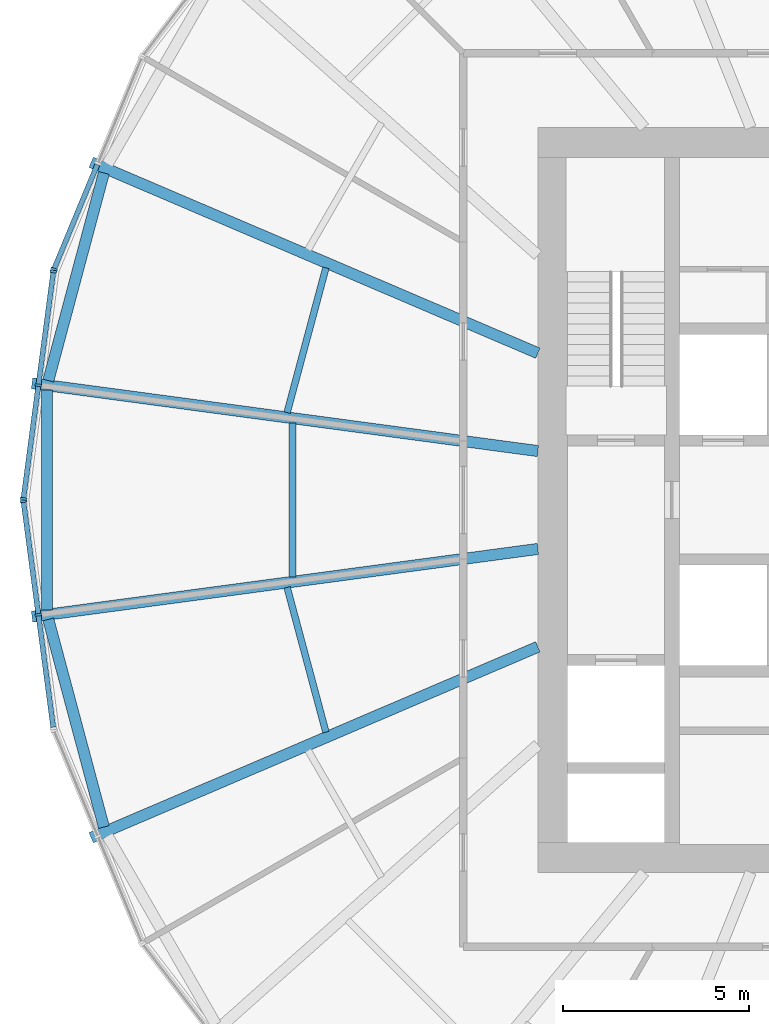
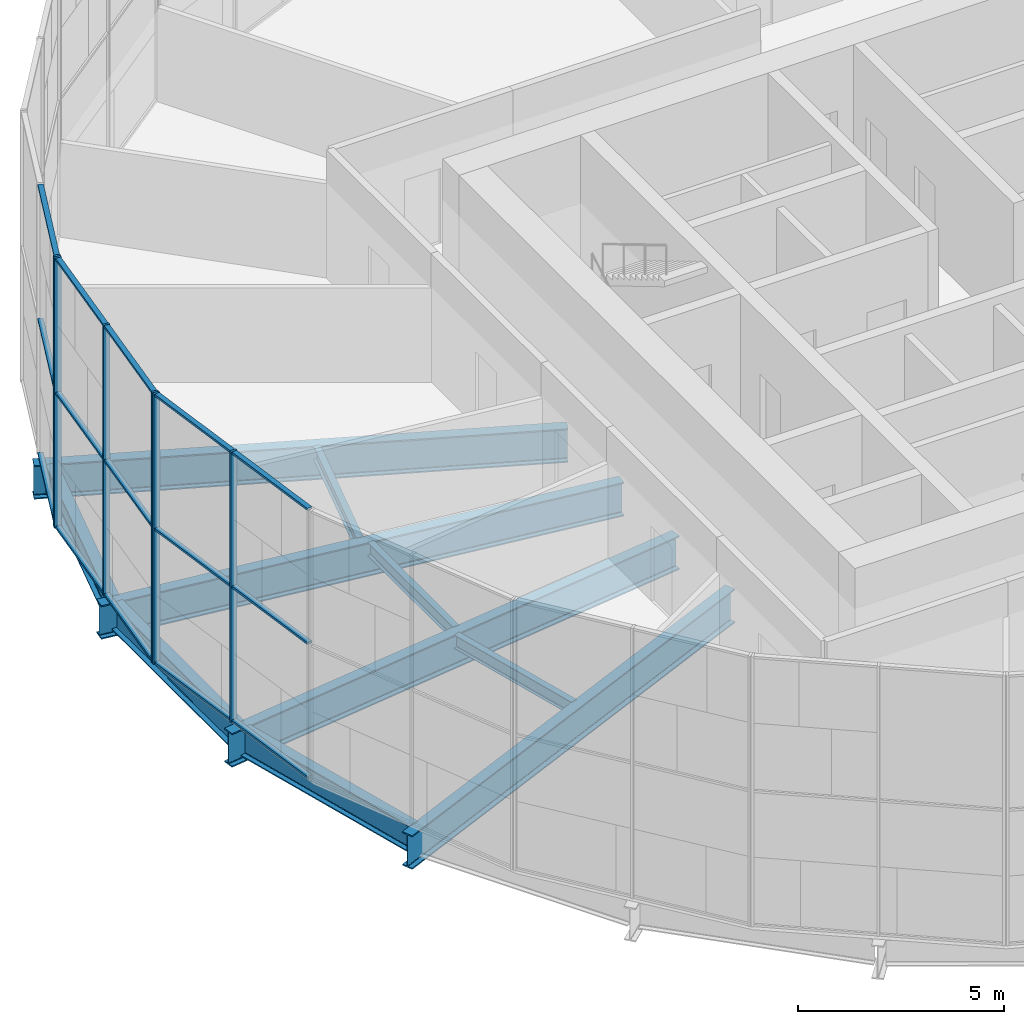
# One storey, part 3 of 18: 21 members, 10 beams, 3 elements without a shape of their own.
"""IFC4 building model written with IfcOpenShell, lengths in metres."""

from ifc_helpers import new_model, si_unit, direction, frame, origin, origin_2d, place, context, subcontext, project, spatial, rectangle, i_section, extrude, material, material_profile, profile_set, type_object, element, aggregate, save


model = new_model("IFC4")

# Units and contexts
model_context = context("Model", 3, precision=1e-05, world=origin(), true_north=direction((0.0, 1.0)))
body_context = subcontext(model_context, "Body", "Model", "MODEL_VIEW")
ifc_project = project(units=[si_unit("LENGTHUNIT", "METRE"), si_unit("AREAUNIT", "SQUARE_METRE"), si_unit("VOLUMEUNIT", "CUBIC_METRE"), si_unit("PLANEANGLEUNIT", "RADIAN"), si_unit("MASSUNIT", "GRAM", prefix="KILO")], contexts=[model_context])

# Site, building, storey
site_placement = place(None, origin())
site = spatial("IfcSite", under=ifc_project, at=site_placement, CompositionType="ELEMENT")
building_placement = place(site_placement, origin())
building = spatial("IfcBuilding", under=site, at=building_placement, Name="Golbaran Civic Tower", CompositionType="ELEMENT")
storey_placement = place(building_placement, frame((0.0, 0.0, 61.0)))
storey = spatial("IfcBuildingStorey", under=building, at=storey_placement, Name="L14", CompositionType="ELEMENT", Elevation=61.0)

# Beams
ifc_material_1 = material(Name="Steel S355", Category="steel")
ifc_material_profile_1 = material_profile(ifc_material_1, i_section(OverallWidth=0.300048828125, OverallDepth=0.800048828125, WebThickness=0.017578125, FlangeThickness=0.032958984375, FilletRadius=0.030029296875, at=origin_2d()), Name="HEB 800")
ifc_profile_set_1 = profile_set([ifc_material_profile_1], Name="Steel S355")
beam_type_1 = type_object("IfcBeamType", Name="EDGE BEAM HEB 800", PredefinedType="BEAM", material=ifc_profile_set_1)
beam_1_placement = place(storey_placement, frame((-21.653564453125, 8.781982421875, -0.60009765625), z_axis=(-0.258518279103, -0.966006366112, 0.0), x_axis=(0.966006366112, -0.258518279103, 0.0)))
element("IfcBeam", 1, at=beam_1_placement, inside=storey, type_object=beam_type_1, Name="Edge beam 157.57 L14", PredefinedType="BEAM", context=body_context, shape_type="SweptSolid", body=[
    extrude(i_section(OverallWidth=0.300048828125, OverallDepth=0.800048828125, WebThickness=0.017578125, FlangeThickness=0.032958984375, FilletRadius=0.030029296875, at=origin_2d()), origin(), (0.0, 0.0, 1.0), 5.771240234375),
])
beam_2_placement = place(storey_placement, frame((-23.179443359375, 2.94921875, -0.60009765625), z_axis=(0.0, -1.0, 0.0), x_axis=(1.0, 0.0, 0.0)))
element("IfcBeam", 2, at=beam_2_placement, inside=storey, type_object=beam_type_1, Name="Edge beam 172.43 L14", PredefinedType="BEAM", context=body_context, shape_type="SweptSolid", body=[
    extrude(i_section(OverallWidth=0.300048828125, OverallDepth=0.800048828125, WebThickness=0.017578125, FlangeThickness=0.032958984375, FilletRadius=0.030029296875, at=origin_2d()), origin(), (0.0, 0.0, 1.0), 5.8984375),
])
beam_3_placement = place(storey_placement, frame((-23.1455078125, -3.20703125, -0.60009765625), z_axis=(0.258518279103, -0.966006366112, 0.0), x_axis=(0.966006366112, 0.258518279103, 0.0)))
element("IfcBeam", 3, at=beam_3_placement, inside=storey, type_object=beam_type_1, Name="Edge beam 187.57 L14", PredefinedType="BEAM", context=body_context, shape_type="SweptSolid", body=[
    extrude(i_section(OverallWidth=0.300048828125, OverallDepth=0.800048828125, WebThickness=0.017578125, FlangeThickness=0.032958984375, FilletRadius=0.030029296875, at=origin_2d()), origin(), (0.0, 0.0, 1.0), 5.771240234375),
])
ifc_material_profile_2 = material_profile(ifc_material_1, i_section(OverallWidth=0.179931640625, OverallDepth=0.39990234375, WebThickness=0.008544921875, FlangeThickness=0.013427734375, FilletRadius=0.02099609375, at=origin_2d()), Name="IPE 400")
ifc_profile_set_2 = profile_set([ifc_material_profile_2], Name="Steel S355")
beam_type_2 = type_object("IfcBeamType", Name="FLOOR INFILL BEAM IPE 400", PredefinedType="BEAM", material=ifc_profile_set_2)
beam_4_placement = place(storey_placement, frame((-15.69140625, 6.23388671875, -0.39990234375), z_axis=(-0.258863474337, -0.965913920416, 0.0), x_axis=(0.965913920416, -0.258863474337, 0.0)))
element("IfcBeam", 4, at=beam_4_placement, inside=storey, type_object=beam_type_2, Name="Infill beam 165.00 L14", PredefinedType="BEAM", context=body_context, shape_type="SweptSolid", body=[
    extrude(i_section(OverallWidth=0.179931640625, OverallDepth=0.39990234375, WebThickness=0.008544921875, FlangeThickness=0.013427734375, FilletRadius=0.02099609375, at=origin_2d()), origin(), (0.0, 0.0, 1.0), 4.0234375),
])
beam_5_placement = place(storey_placement, frame((-16.58984375, 2.066162109375, -0.39990234375), z_axis=(0.0, -1.0, 0.0), x_axis=(1.0, 0.0, 0.0)))
element("IfcBeam", 5, at=beam_5_placement, inside=storey, type_object=beam_type_2, Name="Infill beam 180.00 L14", PredefinedType="BEAM", context=body_context, shape_type="SweptSolid", body=[
    extrude(i_section(OverallWidth=0.179931640625, OverallDepth=0.39990234375, WebThickness=0.008544921875, FlangeThickness=0.013427734375, FilletRadius=0.02099609375, at=origin_2d()), origin(), (0.0, 0.0, 1.0), 4.13232421875),
])
beam_6_placement = place(storey_placement, frame((-16.73291015625, -2.34765625, -0.39990234375), z_axis=(0.258863474337, -0.965913920416, 0.0), x_axis=(0.965913920416, 0.258863474337, 0.0)))
element("IfcBeam", 6, at=beam_6_placement, inside=storey, type_object=beam_type_2, Name="Infill beam 195.00 L14", PredefinedType="BEAM", context=body_context, shape_type="SweptSolid", body=[
    extrude(i_section(OverallWidth=0.179931640625, OverallDepth=0.39990234375, WebThickness=0.008544921875, FlangeThickness=0.013427734375, FilletRadius=0.02099609375, at=origin_2d()), origin(), (0.0, 0.0, 1.0), 4.0234375),
])

# Curtain wall, member
ifc_material_2 = material(Name="Aluminium and glass", Category="aluminium")
curtain_wall_type = type_object("IfcCurtainWallType", Name="INNER SKIN CURTAIN WALL", PredefinedType="NOTDEFINED", material=ifc_material_2)
curtain_wall_1_placement = place(storey_placement, origin())
curtain_wall_1 = element("IfcCurtainWall", 7, at=curtain_wall_1_placement, inside=storey, type_object=curtain_wall_type, Name="Inner skin L14 facet 11 CW1", ObjectType="INNER SKIN", PredefinedType="USERDEFINED")
ifc_material_3 = material(Name="Aluminium", Category="aluminium")
ifc_material_profile_3 = material_profile(ifc_material_3, rectangle(XDim=0.179931640625, YDim=0.06494140625, at=origin_2d()), Name="INNER SKIN CURTAIN WALL MULLION")
ifc_profile_set_3 = profile_set([ifc_material_profile_3], Name="Aluminium")
member_type_1 = type_object("IfcMemberType", Name="INNER SKIN CURTAIN WALL MULLION", PredefinedType="MULLION", material=ifc_profile_set_3)
member_1_placement = place(storey_placement, frame((-22.992919921875, 6.1943359375, 0.0), z_axis=(0.0, 0.0, 1.0), x_axis=(0.923879532505, -0.382683432381, 0.0)))
member_1 = element("IfcMember", 8, at=member_1_placement, type_object=member_type_1, Name="CW1 mullion 3", PredefinedType="MULLION", context=body_context, shape_type="SweptSolid", body=[
    extrude(rectangle(XDim=0.179931640625, YDim=0.06494140625, at=origin_2d()), origin(), (0.0, 0.0, 1.0), 8.0),
])

# Curtain wall, members
curtain_wall_2_placement = place(storey_placement, origin())
curtain_wall_2 = element("IfcCurtainWall", 9, at=curtain_wall_2_placement, inside=storey, type_object=curtain_wall_type, Name="Inner skin L14 facet 12 CW1", ObjectType="INNER SKIN", PredefinedType="USERDEFINED")
member_2_placement = place(storey_placement, frame((-23.009765625, 6.132080078125, 0.0), z_axis=(0.0, 0.0, 1.0), x_axis=(0.991444861378, -0.130526192185, 0.0)))
member_2 = element("IfcMember", 10, at=member_2_placement, type_object=member_type_1, Name="CW1 mullion 1", PredefinedType="MULLION", context=body_context, shape_type="SweptSolid", body=[
    extrude(rectangle(XDim=0.179931640625, YDim=0.06494140625, at=origin_2d()), origin(), (0.0, 0.0, 1.0), 8.0),
])
member_3_placement = place(storey_placement, frame((-23.4111328125, 3.08203125, 0.0), z_axis=(0.0, 0.0, 1.0), x_axis=(0.991444861378, -0.130526192185, 0.0)))
member_3 = element("IfcMember", 11, at=member_3_placement, type_object=member_type_1, Name="CW1 mullion 2", PredefinedType="MULLION", context=body_context, shape_type="SweptSolid", body=[
    extrude(rectangle(XDim=0.179931640625, YDim=0.06494140625, at=origin_2d()), origin(), (0.0, 0.0, 1.0), 8.0),
])
member_4_placement = place(storey_placement, frame((-23.812744140625, 0.0322265625, 0.0), z_axis=(0.0, 0.0, 1.0), x_axis=(0.991444861378, -0.130526192185, 0.0)))
member_4 = element("IfcMember", 12, at=member_4_placement, type_object=member_type_1, Name="CW1 mullion 3", PredefinedType="MULLION", context=body_context, shape_type="SweptSolid", body=[
    extrude(rectangle(XDim=0.179931640625, YDim=0.06494140625, at=origin_2d()), origin(), (0.0, 0.0, 1.0), 8.0),
])

curtain_wall_3_placement = place(storey_placement, origin())
curtain_wall_3 = element("IfcCurtainWall", 13, at=curtain_wall_3_placement, inside=storey, type_object=curtain_wall_type, Name="Inner skin L14 facet 13 CW1", ObjectType="INNER SKIN", PredefinedType="USERDEFINED")
member_5_placement = place(storey_placement, frame((-23.812744140625, -0.0322265625, 0.0), z_axis=(0.0, 0.0, 1.0), x_axis=(0.991444861378, 0.130526192185, 0.0)))
member_5 = element("IfcMember", 14, at=member_5_placement, type_object=member_type_1, Name="CW1 mullion 1", PredefinedType="MULLION", context=body_context, shape_type="SweptSolid", body=[
    extrude(rectangle(XDim=0.179931640625, YDim=0.06494140625, at=origin_2d()), origin(), (0.0, 0.0, 1.0), 8.0),
])
member_6_placement = place(storey_placement, frame((-23.4111328125, -3.08203125, 0.0), z_axis=(0.0, 0.0, 1.0), x_axis=(0.991444861378, 0.130526192185, 0.0)))
member_6 = element("IfcMember", 15, at=member_6_placement, type_object=member_type_1, Name="CW1 mullion 2", PredefinedType="MULLION", context=body_context, shape_type="SweptSolid", body=[
    extrude(rectangle(XDim=0.179931640625, YDim=0.06494140625, at=origin_2d()), origin(), (0.0, 0.0, 1.0), 8.0),
])

# Member
ifc_material_profile_4 = material_profile(ifc_material_3, rectangle(XDim=0.139892578125, YDim=0.06494140625, at=origin_2d()), Name="INNER SKIN CURTAIN WALL TRANSOM")
ifc_profile_set_4 = profile_set([ifc_material_profile_4], Name="Aluminium")
member_type_2 = type_object("IfcMemberType", Name="INNER SKIN CURTAIN WALL TRANSOM", PredefinedType="USERDEFINED", material=ifc_profile_set_4)
member_7_placement = place(storey_placement, frame((-21.828125, 9.00634765625, 0.032470703125), z_axis=(-0.382685955317, -0.923878487466, 0.0), x_axis=(0.923878487466, -0.382685955317, 0.0)))
member_7 = element("IfcMember", 16, at=member_7_placement, type_object=member_type_2, Name="CW1 transom 2.1", ObjectType="TRANSOM", PredefinedType="USERDEFINED", context=body_context, shape_type="SweptSolid", body=[
    extrude(rectangle(XDim=0.139892578125, YDim=0.06494140625, at=origin_2d()), origin(), (0.0, 0.0, 1.0), 3.01123046875),
])

member_8_placement = place(storey_placement, frame((-21.828125, 9.00634765625, 4.0), z_axis=(-0.382685955317, -0.923878487466, 0.0), x_axis=(0.923878487466, -0.382685955317, 0.0)))
member_8 = element("IfcMember", 17, at=member_8_placement, type_object=member_type_2, Name="CW1 transom 2.2", ObjectType="TRANSOM", PredefinedType="USERDEFINED", context=body_context, shape_type="SweptSolid", body=[
    extrude(rectangle(XDim=0.139892578125, YDim=0.06494140625, at=origin_2d()), origin(), (0.0, 0.0, 1.0), 3.01123046875),
])

member_9_placement = place(storey_placement, frame((-21.828125, 9.00634765625, 7.967529296875), z_axis=(-0.382685955317, -0.923878487466, 0.0), x_axis=(0.923878487466, -0.382685955317, 0.0)))
member_9 = element("IfcMember", 18, at=member_9_placement, type_object=member_type_2, Name="CW1 transom 2.3", ObjectType="TRANSOM", PredefinedType="USERDEFINED", context=body_context, shape_type="SweptSolid", body=[
    extrude(rectangle(XDim=0.139892578125, YDim=0.06494140625, at=origin_2d()), origin(), (0.0, 0.0, 1.0), 3.01123046875),
])

aggregate(curtain_wall_1, [member_1, member_7, member_8, member_9])

member_10_placement = place(storey_placement, frame((-23.013916015625, 6.099853515625, 0.032470703125), z_axis=(-0.130527914125, -0.991444634679, 0.0), x_axis=(0.991444634679, -0.130527914125, 0.0)))
member_10 = element("IfcMember", 19, at=member_10_placement, type_object=member_type_2, Name="CW1 transom 1.1", ObjectType="TRANSOM", PredefinedType="USERDEFINED", context=body_context, shape_type="SweptSolid", body=[
    extrude(rectangle(XDim=0.139892578125, YDim=0.06494140625, at=origin_2d()), origin(), (0.0, 0.0, 1.0), 3.011474609375),
])

member_11_placement = place(storey_placement, frame((-23.013916015625, 6.099853515625, 4.0), z_axis=(-0.130527914125, -0.991444634679, 0.0), x_axis=(0.991444634679, -0.130527914125, 0.0)))
member_11 = element("IfcMember", 20, at=member_11_placement, type_object=member_type_2, Name="CW1 transom 1.2", ObjectType="TRANSOM", PredefinedType="USERDEFINED", context=body_context, shape_type="SweptSolid", body=[
    extrude(rectangle(XDim=0.139892578125, YDim=0.06494140625, at=origin_2d()), origin(), (0.0, 0.0, 1.0), 3.011474609375),
])

member_12_placement = place(storey_placement, frame((-23.013916015625, 6.099853515625, 7.967529296875), z_axis=(-0.130527914125, -0.991444634679, 0.0), x_axis=(0.991444634679, -0.130527914125, 0.0)))
member_12 = element("IfcMember", 21, at=member_12_placement, type_object=member_type_2, Name="CW1 transom 1.3", ObjectType="TRANSOM", PredefinedType="USERDEFINED", context=body_context, shape_type="SweptSolid", body=[
    extrude(rectangle(XDim=0.139892578125, YDim=0.06494140625, at=origin_2d()), origin(), (0.0, 0.0, 1.0), 3.011474609375),
])

member_13_placement = place(storey_placement, frame((-23.41552734375, 3.0498046875, 0.032470703125), z_axis=(-0.130538406746, -0.991443253224, 0.0), x_axis=(0.991443253224, -0.130538406746, 0.0)))
member_13 = element("IfcMember", 22, at=member_13_placement, type_object=member_type_2, Name="CW1 transom 2.1", ObjectType="TRANSOM", PredefinedType="USERDEFINED", context=body_context, shape_type="SweptSolid", body=[
    extrude(rectangle(XDim=0.139892578125, YDim=0.06494140625, at=origin_2d()), origin(), (0.0, 0.0, 1.0), 3.01123046875),
])

member_14_placement = place(storey_placement, frame((-23.41552734375, 3.0498046875, 4.0), z_axis=(-0.130538406746, -0.991443253224, 0.0), x_axis=(0.991443253224, -0.130538406746, 0.0)))
member_14 = element("IfcMember", 23, at=member_14_placement, type_object=member_type_2, Name="CW1 transom 2.2", ObjectType="TRANSOM", PredefinedType="USERDEFINED", context=body_context, shape_type="SweptSolid", body=[
    extrude(rectangle(XDim=0.139892578125, YDim=0.06494140625, at=origin_2d()), origin(), (0.0, 0.0, 1.0), 3.01123046875),
])

member_15_placement = place(storey_placement, frame((-23.41552734375, 3.0498046875, 7.967529296875), z_axis=(-0.130538406746, -0.991443253224, 0.0), x_axis=(0.991443253224, -0.130538406746, 0.0)))
member_15 = element("IfcMember", 24, at=member_15_placement, type_object=member_type_2, Name="CW1 transom 2.3", ObjectType="TRANSOM", PredefinedType="USERDEFINED", context=body_context, shape_type="SweptSolid", body=[
    extrude(rectangle(XDim=0.139892578125, YDim=0.06494140625, at=origin_2d()), origin(), (0.0, 0.0, 1.0), 3.01123046875),
])

aggregate(curtain_wall_2, [member_2, member_3, member_4, member_10, member_11, member_12, member_13, member_14, member_15])

member_16_placement = place(storey_placement, frame((-23.80859375, -0.064453125, 0.032470703125), z_axis=(0.130538406746, -0.991443253224, 0.0), x_axis=(0.991443253224, 0.130538406746, 0.0)))
member_16 = element("IfcMember", 25, at=member_16_placement, type_object=member_type_2, Name="CW1 transom 1.1", ObjectType="TRANSOM", PredefinedType="USERDEFINED", context=body_context, shape_type="SweptSolid", body=[
    extrude(rectangle(XDim=0.139892578125, YDim=0.06494140625, at=origin_2d()), origin(), (0.0, 0.0, 1.0), 3.01123046875),
])

member_17_placement = place(storey_placement, frame((-23.80859375, -0.064453125, 4.0), z_axis=(0.130538406746, -0.991443253224, 0.0), x_axis=(0.991443253224, 0.130538406746, 0.0)))
member_17 = element("IfcMember", 26, at=member_17_placement, type_object=member_type_2, Name="CW1 transom 1.2", ObjectType="TRANSOM", PredefinedType="USERDEFINED", context=body_context, shape_type="SweptSolid", body=[
    extrude(rectangle(XDim=0.139892578125, YDim=0.06494140625, at=origin_2d()), origin(), (0.0, 0.0, 1.0), 3.01123046875),
])

member_18_placement = place(storey_placement, frame((-23.80859375, -0.064453125, 7.967529296875), z_axis=(0.130538406746, -0.991443253224, 0.0), x_axis=(0.991443253224, 0.130538406746, 0.0)))
member_18 = element("IfcMember", 27, at=member_18_placement, type_object=member_type_2, Name="CW1 transom 1.3", ObjectType="TRANSOM", PredefinedType="USERDEFINED", context=body_context, shape_type="SweptSolid", body=[
    extrude(rectangle(XDim=0.139892578125, YDim=0.06494140625, at=origin_2d()), origin(), (0.0, 0.0, 1.0), 3.01123046875),
])

member_19_placement = place(storey_placement, frame((-23.406982421875, -3.1142578125, 0.032470703125), z_axis=(0.130527914125, -0.991444634679, 0.0), x_axis=(0.991444634679, 0.130527914125, 0.0)))
member_19 = element("IfcMember", 28, at=member_19_placement, type_object=member_type_2, Name="CW1 transom 2.1", ObjectType="TRANSOM", PredefinedType="USERDEFINED", context=body_context, shape_type="SweptSolid", body=[
    extrude(rectangle(XDim=0.139892578125, YDim=0.06494140625, at=origin_2d()), origin(), (0.0, 0.0, 1.0), 3.011474609375),
])

member_20_placement = place(storey_placement, frame((-23.406982421875, -3.1142578125, 4.0), z_axis=(0.130527914125, -0.991444634679, 0.0), x_axis=(0.991444634679, 0.130527914125, 0.0)))
member_20 = element("IfcMember", 29, at=member_20_placement, type_object=member_type_2, Name="CW1 transom 2.2", ObjectType="TRANSOM", PredefinedType="USERDEFINED", context=body_context, shape_type="SweptSolid", body=[
    extrude(rectangle(XDim=0.139892578125, YDim=0.06494140625, at=origin_2d()), origin(), (0.0, 0.0, 1.0), 3.011474609375),
])

member_21_placement = place(storey_placement, frame((-23.406982421875, -3.1142578125, 7.967529296875), z_axis=(0.130527914125, -0.991444634679, 0.0), x_axis=(0.991444634679, 0.130527914125, 0.0)))
member_21 = element("IfcMember", 30, at=member_21_placement, type_object=member_type_2, Name="CW1 transom 2.3", ObjectType="TRANSOM", PredefinedType="USERDEFINED", context=body_context, shape_type="SweptSolid", body=[
    extrude(rectangle(XDim=0.139892578125, YDim=0.06494140625, at=origin_2d()), origin(), (0.0, 0.0, 1.0), 3.011474609375),
])

aggregate(curtain_wall_3, [member_5, member_6, member_16, member_17, member_18, member_19, member_20, member_21])

# Beams
ifc_material_profile_5 = material_profile(ifc_material_1, i_section(OverallWidth=0.300048828125, OverallDepth=1.0, WebThickness=0.01904296875, FlangeThickness=0.035888671875, FilletRadius=0.030029296875, at=origin_2d()), Name="HEB 1000")
ifc_profile_set_5 = profile_set([ifc_material_profile_5], Name="Steel S355")
beam_type_3 = type_object("IfcBeamType", Name="RADIAL FLOOR BEAM HEB 1000", PredefinedType="BEAM", material=ifc_profile_set_5)
beam_7_placement = place(storey_placement, frame((-10.0, 3.94287109375, -0.7099609375), z_axis=(-0.919548229384, 0.392977167068, 0.0), x_axis=(-0.392977167068, -0.919548229384, 0.0)))
element("IfcBeam", 31, at=beam_7_placement, inside=storey, type_object=beam_type_3, Name="Radial beam 157.57 L14", PredefinedType="BEAM", context=body_context, shape_type="SweptSolid", body=[
    extrude(i_section(OverallWidth=0.300048828125, OverallDepth=1.0, WebThickness=0.01904296875, FlangeThickness=0.035888671875, FilletRadius=0.030029296875, at=origin_2d()), origin(), (0.0, 0.0, 1.0), 13.044677734375),
])
for number, where, z_axis, x_axis, name in (
    (32, (-10.0, 1.314208984375, -0.7099609375), (-0.991139619963, 0.132824145918, 0.0), (-0.132824145918, -0.991139619963, 0.0), "Radial beam 172.43 L14"),
    (33, (-10.0, -1.314208984375, -0.7099609375), (-0.991139619963, -0.132824145918, 0.0), (0.132824145918, -0.991139619963, 0.0), "Radial beam 187.57 L14"),
):
    element("IfcBeam", number, at=place(storey_placement, frame(where, z_axis=z_axis, x_axis=x_axis)), inside=storey, type_object=beam_type_3, Name=name, PredefinedType="BEAM", context=body_context, shape_type="SweptSolid", body=[
        extrude(i_section(OverallWidth=0.300048828125, OverallDepth=1.0, WebThickness=0.01904296875, FlangeThickness=0.035888671875, FilletRadius=0.030029296875, at=origin_2d()), origin(), (0.0, 0.0, 1.0), 13.70458984375),
    ])
beam_8_placement = place(storey_placement, frame((-10.0, -3.94287109375, -0.7099609375), z_axis=(-0.919548229384, -0.392977167068, 0.0), x_axis=(0.392977167068, -0.919548229384, 0.0)))
element("IfcBeam", 34, at=beam_8_placement, inside=storey, type_object=beam_type_3, Name="Radial beam 202.43 L14", PredefinedType="BEAM", context=body_context, shape_type="SweptSolid", body=[
    extrude(i_section(OverallWidth=0.300048828125, OverallDepth=1.0, WebThickness=0.01904296875, FlangeThickness=0.035888671875, FilletRadius=0.030029296875, at=origin_2d()), origin(), (0.0, 0.0, 1.0), 13.044677734375),
])

save(model, "model.ifc")
